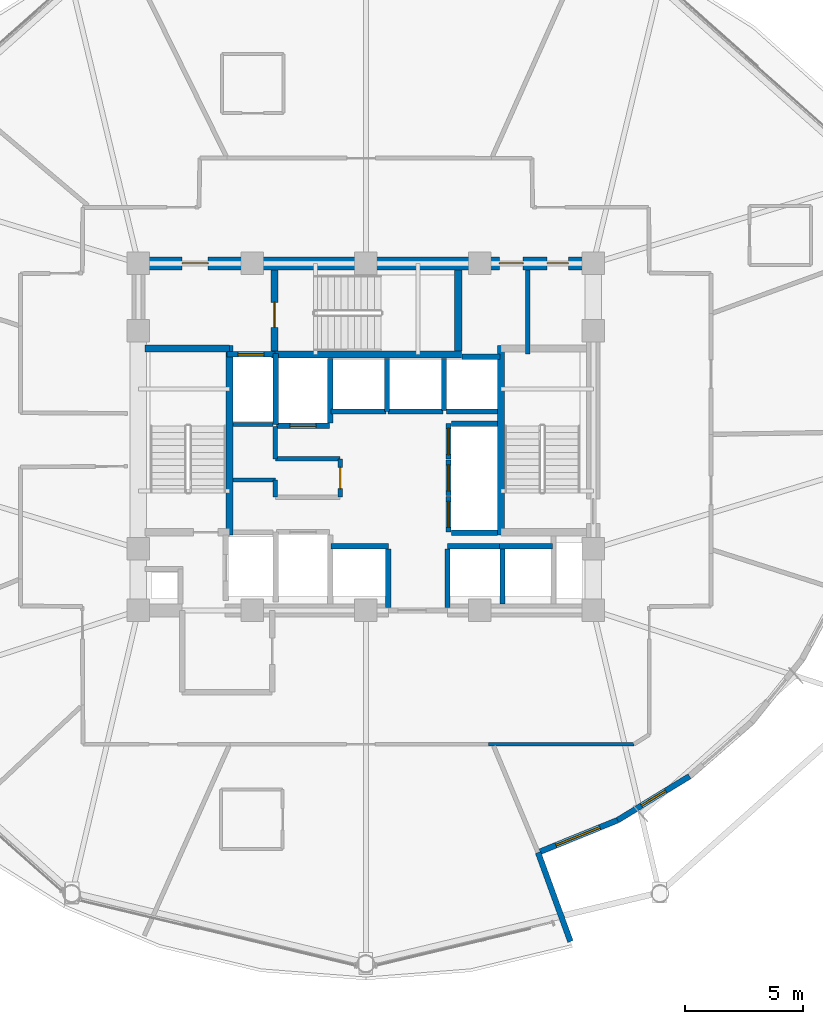
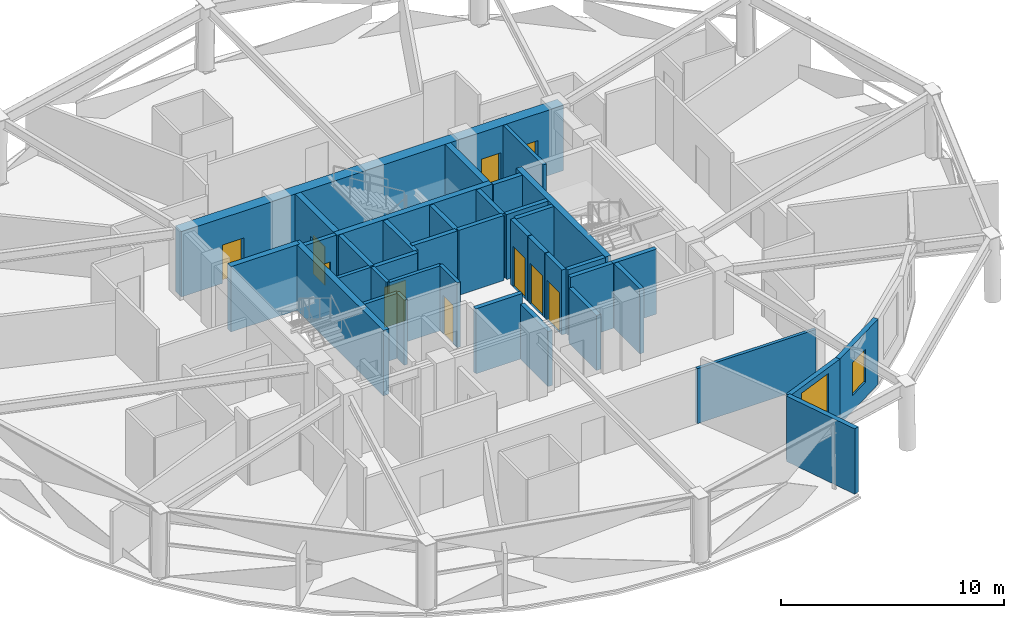
# One storey, part 11 of 16: 39 walls, 10 doors, 2 windows, 12 openings.
"""IFC4 building model written with IfcOpenShell, lengths in metres."""

from ifc_helpers import new_model, si_unit, direction, frame, frame_2d, origin, place, context, subcontext, project, spatial, rectangle, extrude, material, layer, layer_set, type_object, element, fill, save


model = new_model("IFC4")

# Units and contexts
model_context = context("Model", 3, precision=1e-05, world=origin(), true_north=direction((0.0, 1.0)))
body_context = subcontext(model_context, "Body", "Model", "MODEL_VIEW")
ifc_project = project(units=[si_unit("LENGTHUNIT", "METRE"), si_unit("AREAUNIT", "SQUARE_METRE"), si_unit("VOLUMEUNIT", "CUBIC_METRE"), si_unit("PLANEANGLEUNIT", "RADIAN"), si_unit("MASSUNIT", "GRAM", prefix="KILO")], contexts=[model_context])

# Site, building, storey
site_placement = place(None, origin())
site = spatial("IfcSite", under=ifc_project, at=site_placement, CompositionType="ELEMENT")
building_placement = place(site_placement, origin())
building = spatial("IfcBuilding", under=site, at=building_placement, Name="Vantalir Tower", CompositionType="ELEMENT")
storey_placement = place(building_placement, frame((0.0, 0.0, 145.949951171875)))
storey = spatial("IfcBuildingStorey", under=building, at=storey_placement, Name="L36", CompositionType="ELEMENT", Elevation=145.949951171875)

# Wall, openings, doors
ifc_material_1 = material(Name="Concrete C60/75", Category="concrete")
ifc_layer_1 = layer(ifc_material_1, 0.550048828125)
ifc_layer_set_1 = layer_set([ifc_layer_1], Name="Concrete C60/75")
wall_type_1 = type_object("IfcWallType", Name="WL-CORE-550", PredefinedType="SHEAR", material=ifc_layer_set_1)
wall_1_placement = place(storey_placement, frame((21.625, 32.449951171875, 0.0), z_axis=(0.0, 0.0, 1.0), x_axis=(1.0, 0.0, 0.0)))
wall_1 = element("IfcWall", 1, at=wall_1_placement, inside=storey, type_object=wall_type_1, Name="L36 Core Shear Wall North", PredefinedType="SHEAR", context=body_context, shape_type="SweptSolid", body=[
    extrude(rectangle(XDim=19.75, YDim=0.550048828125, at=frame_2d((9.875, 0.0))), origin(), (0.0, 0.0, 1.0), 3.570068359375),
])
opening_1_placement = place(wall_1_placement, frame((2.125, 0.0, 0.0)))
opening_1 = element("IfcOpeningElement", 2, at=opening_1_placement, cuts=wall_1, Name="Opening D-FFL", PredefinedType="OPENING", context=body_context, shape_type="SweptSolid", body=[
    extrude(rectangle(XDim=1.10009765625, YDim=2.10009765625, at=frame_2d((0.550048828125, 1.050048828125))), frame((0.0, 0.284912109375, 0.0), z_axis=(0.0, -1.0, 0.0), x_axis=(1.0, 0.0, 0.0)), (0.0, 0.0, 1.0), 0.570068359375),
])
opening_2_placement = place(wall_1_placement, frame((15.514892578125, 0.0, 0.0)))
opening_2 = element("IfcOpeningElement", 3, at=opening_2_placement, cuts=wall_1, Name="Opening D-GUEST", PredefinedType="OPENING", context=body_context, shape_type="SweptSolid", body=[
    extrude(rectangle(XDim=1.0, YDim=2.10009765625, at=frame_2d((0.5, 1.050048828125))), frame((0.0, 0.284912109375, 0.0), z_axis=(0.0, -1.0, 0.0), x_axis=(1.0, 0.0, 0.0)), (0.0, 0.0, 1.0), 0.570068359375),
])
opening_3_placement = place(wall_1_placement, frame((17.52490234375, 0.0, 0.0)))
opening_3 = element("IfcOpeningElement", 4, at=opening_3_placement, cuts=wall_1, Name="Opening D-CR", PredefinedType="OPENING", context=body_context, shape_type="SweptSolid", body=[
    extrude(rectangle(XDim=0.89990234375, YDim=2.10009765625, at=frame_2d((0.449951171875, 1.050048828125))), frame((0.0, 0.284912109375, 0.0), z_axis=(0.0, -1.0, 0.0), x_axis=(1.0, 0.0, 0.0)), (0.0, 0.0, 1.0), 0.570068359375),
])
ifc_material_2 = material(Name="Fire-rated steel core service door", Category="steel")
door_type_1 = type_object("IfcDoorType", Name="DR-CORE-SERV-900", OperationType="NOTDEFINED", PredefinedType="DOOR", material=ifc_material_2)
door_1_placement = place(opening_3_placement, frame((0.89990234375, 0.0, 0.0), z_axis=(0.0, 0.0, 1.0), x_axis=(-1.0, 0.0, 0.0)))
door_1 = element("IfcDoor", 5, at=door_1_placement, inside=storey, type_object=door_type_1, Name="L36 Housekeeping and Linen Room Door", OperationType="SINGLE_SWING_RIGHT", OverallHeight=2.10009765625, OverallWidth=0.89990234375, PredefinedType="DOOR", context=body_context, shape_type="SweptSolid", body=[
    extrude(rectangle(XDim=0.89990234375, YDim=2.10009765625, at=frame_2d((0.449951171875, 1.050048828125))), frame((0.0, 0.02490234375, 0.0), z_axis=(0.0, -1.0, 0.0), x_axis=(1.0, 0.0, 0.0)), (0.0, 0.0, 1.0), 0.050048828125),
])
fill(opening_3, door_1)
ifc_material_3 = material(Name="Fire-rated acoustic steel door", Category="steel")
door_type_2 = type_object("IfcDoorType", Name="DR-FIRE-LOBBY-1100", OperationType="NOTDEFINED", PredefinedType="DOOR", material=ifc_material_3)
door_2_placement = place(opening_1_placement, frame((1.10009765625, 0.0, 0.0), z_axis=(0.0, 0.0, 1.0), x_axis=(-1.0, 0.0, 0.0)))
door_2 = element("IfcDoor", 6, at=door_2_placement, inside=storey, type_object=door_type_2, Name="L36 Firefighting Lobby East Access Door", OperationType="SINGLE_SWING_RIGHT", OverallHeight=2.10009765625, OverallWidth=1.10009765625, PredefinedType="DOOR", context=body_context, shape_type="SweptSolid", body=[
    extrude(rectangle(XDim=1.10009765625, YDim=2.10009765625, at=frame_2d((0.550048828125, 1.050048828125))), frame((0.0, 0.02490234375, 0.0), z_axis=(0.0, -1.0, 0.0), x_axis=(1.0, 0.0, 0.0)), (0.0, 0.0, 1.0), 0.050048828125),
])
fill(opening_1, door_2)
ifc_material_4 = material(Name="Solid-core teak veneer acoustic fire door", Category="wood")
door_type_3 = type_object("IfcDoorType", Name="DR-GUEST-ENTRY-1000", OperationType="NOTDEFINED", PredefinedType="DOOR", material=ifc_material_4)
door_3_placement = place(opening_2_placement, frame((1.0, 0.0, 0.0), z_axis=(0.0, 0.0, 1.0), x_axis=(-1.0, 0.0, 0.0)))
door_3 = element("IfcDoor", 7, at=door_3_placement, inside=storey, type_object=door_type_3, Name="L36 High-Rise Lift Lobby Door", OperationType="SINGLE_SWING_LEFT", OverallHeight=2.10009765625, OverallWidth=1.0, PredefinedType="DOOR", context=body_context, shape_type="SweptSolid", body=[
    extrude(rectangle(XDim=1.0, YDim=2.10009765625, at=frame_2d((0.5, 1.050048828125))), frame((0.0, 0.02490234375, 0.0), z_axis=(0.0, -1.0, 0.0), x_axis=(1.0, 0.0, 0.0)), (0.0, 0.0, 1.0), 0.050048828125),
])
fill(opening_2, door_3)

# Walls
ifc_material_5 = material(Name="Fire-rated hotel corridor acoustic partition", Category="gypsum")
ifc_layer_2 = layer(ifc_material_5, 0.159912109375)
ifc_layer_set_2 = layer_set([ifc_layer_2], Name="Fire-rated hotel corridor acoustic partition")
wall_type_2 = type_object("IfcWallType", Name="WL-CORR-160", PredefinedType="PARTITIONING", material=ifc_layer_set_2)
wall_2_placement = place(storey_placement, frame((42.81591796875, 12.15087890625, 0.0), z_axis=(0.0, 0.0, 1.0), x_axis=(-1.0, 0.0, 0.0)))
element("IfcWall", 8, at=wall_2_placement, inside=storey, type_object=wall_type_2, Name="L36 Corridor Partition 22", PredefinedType="PARTITIONING", context=body_context, shape_type="SweptSolid", body=[
    extrude(rectangle(XDim=6.143798828125, YDim=0.159912109375, at=frame_2d((3.07177734375, 0.0))), origin(), (0.0, 0.0, 1.0), 3.006103515625),
])
ifc_material_6 = material(Name="Precast concrete C40/50 insulated sky-garden wall", Category="concrete")
ifc_layer_3 = layer(ifc_material_6, 0.239990234375)
ifc_layer_set_3 = layer_set([ifc_layer_3], Name="Precast concrete C40/50 insulated sky-garden wall")
wall_type_3 = type_object("IfcWallType", Name="WL-EXT-SG-240", PredefinedType="SOLIDWALL", material=ifc_layer_set_3)
wall_3_placement = place(storey_placement, frame((40.137939453125, 3.824951171875, 0.0), z_axis=(0.0, 0.0, 1.0), x_axis=(-0.341963571582, 0.939713209288, 0.0)))
element("IfcWall", 9, at=wall_3_placement, inside=storey, type_object=wall_type_3, Name="L36 SG2 Sky-Garden Return Wall A", PredefinedType="SOLIDWALL", context=body_context, shape_type="SweptSolid", body=[
    extrude(rectangle(XDim=4.000244140625, YDim=0.239990234375, at=frame_2d((2.0, 0.0))), origin(), (0.0, 0.0, 1.0), 3.570068359375),
])

# Wall, opening, window
wall_4_placement = place(storey_placement, frame((38.77001953125, 7.583984375, 0.0), z_axis=(0.0, 0.0, 1.0), x_axis=(0.926385821436, 0.37657576906, 0.0)))
wall_4 = element("IfcWall", 10, at=wall_4_placement, inside=storey, type_object=wall_type_3, Name="L36 SG2 Sky-Garden Lounge Wall 1", PredefinedType="SOLIDWALL", context=body_context, shape_type="SweptSolid", body=[
    extrude(rectangle(XDim=3.624755859375, YDim=0.239990234375, at=frame_2d((1.8125, 0.0))), origin(), (0.0, 0.0, 1.0), 3.570068359375),
])
opening_4_placement = place(wall_4_placement, frame((0.81201171875, 0.0, 0.85009765625)))
opening_4 = element("IfcOpeningElement", 11, at=opening_4_placement, cuts=wall_4, Name="Opening WN-3", PredefinedType="OPENING", context=body_context, shape_type="SweptSolid", body=[
    extrude(rectangle(XDim=2.0, YDim=2.39990234375, at=frame_2d((1.0, 1.199951171875))), frame((0.0, 0.1298828125, 0.0), z_axis=(0.0, -1.0, 0.0), x_axis=(1.0, 0.0, 0.0)), (0.0, 0.0, 1.0), 0.260009765625),
])
ifc_material_7 = material(Name="Double-silver Low-E sky-garden lounge window", Category="glass")
window_type_1 = type_object("IfcWindowType", Name="WIN-SG-2000x2400", PartitioningType="SINGLE_PANEL", PredefinedType="WINDOW", material=ifc_material_7)
window_1_placement = place(opening_4_placement, origin())
window_1 = element("IfcWindow", 12, at=window_1_placement, inside=storey, type_object=window_type_1, Name="L36 SG2 Sky-Garden Window 1", OverallHeight=2.39990234375, OverallWidth=2.0, PartitioningType="SINGLE_PANEL", PredefinedType="WINDOW", context=body_context, shape_type="SweptSolid", body=[
    extrude(rectangle(XDim=2.0, YDim=2.39990234375, at=frame_2d((1.0, 1.199951171875))), frame((0.0, 0.030029296875, 0.0), z_axis=(0.0, -1.0, 0.0), x_axis=(1.0, 0.0, 0.0)), (0.0, 0.0, 1.0), 0.06005859375),
])
fill(opening_4, window_1)

wall_5_placement = place(storey_placement, frame((42.1279296875, 8.948974609375, 0.0), z_axis=(0.0, 0.0, 1.0), x_axis=(0.853431175253, 0.521205553602, 0.0)))
wall_5 = element("IfcWall", 13, at=wall_5_placement, inside=storey, type_object=wall_type_3, Name="L36 SG2 Sky-Garden Lounge Wall 2", PredefinedType="SOLIDWALL", context=body_context, shape_type="SweptSolid", body=[
    extrude(rectangle(XDim=3.55517578125, YDim=0.239990234375, at=frame_2d((1.777587890625, 0.0))), origin(), (0.0, 0.0, 1.0), 3.570068359375),
])
opening_5_placement = place(wall_5_placement, frame((1.177978515625, 0.0, 0.85009765625)))
opening_5 = element("IfcOpeningElement", 14, at=opening_5_placement, cuts=wall_5, Name="Opening WN-4", PredefinedType="OPENING", context=body_context, shape_type="SweptSolid", body=[
    extrude(rectangle(XDim=1.199951171875, YDim=1.800048828125, at=frame_2d((0.60009765625, 0.89990234375))), frame((0.0, 0.1298828125, 0.0), z_axis=(0.0, -1.0, 0.0), x_axis=(1.0, 0.0, 0.0)), (0.0, 0.0, 1.0), 0.260009765625),
])
ifc_material_8 = material(Name="Operable smoke-vent Low-E window", Category="glass")
window_type_2 = type_object("IfcWindowType", Name="WIN-SG-1200x1800", PartitioningType="SINGLE_PANEL", PredefinedType="WINDOW", material=ifc_material_8)
window_2_placement = place(opening_5_placement, origin())
window_2 = element("IfcWindow", 15, at=window_2_placement, inside=storey, type_object=window_type_2, Name="L36 SG2 Sky-Garden Window 2", OverallHeight=1.800048828125, OverallWidth=1.199951171875, PartitioningType="SINGLE_PANEL", PredefinedType="WINDOW", context=body_context, shape_type="SweptSolid", body=[
    extrude(rectangle(XDim=1.199951171875, YDim=1.800048828125, at=frame_2d((0.60009765625, 0.89990234375))), frame((0.0, 0.030029296875, 0.0), z_axis=(0.0, -1.0, 0.0), x_axis=(1.0, 0.0, 0.0)), (0.0, 0.0, 1.0), 0.06005859375),
])
fill(opening_5, window_2)

# Walls
ifc_material_9 = material(Name="Concrete blockwork with fireboard lining", Category="masonry")
ifc_layer_4 = layer(ifc_material_9, 0.219970703125)
ifc_layer_set_4 = layer_set([ifc_layer_4], Name="Concrete blockwork with fireboard lining")
wall_type_4 = type_object("IfcWallType", Name="WL-FFL-220", PredefinedType="PARTITIONING", material=ifc_layer_set_4)
for number, where, z_axis, x_axis, name in (
    (16, (32.449951171875, 17.919921875, 0.0), (0.0, 0.0, 1.0), (0.0, 1.0, 0.0), "L36 Shuttle Lift PL-X1 East Shaft Cheek"),
    (17, (34.949951171875, 17.919921875, 0.0), (0.0, 0.0, 1.0), (0.0, 1.0, 0.0), "L36 Shuttle Lift PL-X3 West Shaft Cheek"),
):
    element("IfcWall", number, at=place(storey_placement, frame(where, z_axis=z_axis, x_axis=x_axis)), inside=storey, type_object=wall_type_4, Name=name, PredefinedType="PARTITIONING", context=body_context, shape_type="SweptSolid", body=[
        extrude(rectangle(XDim=2.469970703125, YDim=0.219970703125, at=frame_2d((1.23486328125, 0.0))), origin(), (0.0, 0.0, 1.0), 3.006103515625),
    ])
wall_6_placement = place(storey_placement, frame((37.27490234375, 18.080078125, 0.0), z_axis=(0.0, 0.0, 1.0), x_axis=(0.0, 1.0, 0.0)))
element("IfcWall", 18, at=wall_6_placement, inside=storey, type_object=wall_type_4, Name="L36 Shuttle Lift PL-X2/X3 Shaft Divider", PredefinedType="PARTITIONING", context=body_context, shape_type="SweptSolid", body=[
    extrude(rectangle(XDim=2.309814453125, YDim=0.219970703125, at=frame_2d((1.15478515625, 0.0))), origin(), (0.0, 0.0, 1.0), 3.545166015625),
])
wall_7_placement = place(storey_placement, frame((30.0, 25.7099609375, 0.0), z_axis=(0.0, 0.0, 1.0), x_axis=(0.0, 1.0, 0.0)))
element("IfcWall", 19, at=wall_7_placement, inside=storey, type_object=wall_type_4, Name="L36 Service Lift SV2 East Shaft Wall", PredefinedType="PARTITIONING", context=body_context, shape_type="SweptSolid", body=[
    extrude(rectangle(XDim=2.72998046875, YDim=0.219970703125, at=frame_2d((1.364990234375, 0.0))), origin(), (0.0, 0.0, 1.0), 3.545166015625),
])
wall_8_placement = place(storey_placement, frame((32.39990234375, 26.199951171875, 0.0), z_axis=(0.0, 0.0, 1.0), x_axis=(0.0, 1.0, 0.0)))
element("IfcWall", 20, at=wall_8_placement, inside=storey, type_object=wall_type_4, Name="L36 High-Rise Lift PL-H1/H2 Shaft Divider", PredefinedType="PARTITIONING", context=body_context, shape_type="SweptSolid", body=[
    extrude(rectangle(XDim=2.239990234375, YDim=0.219970703125, at=frame_2d((1.1201171875, 0.0))), origin(), (0.0, 0.0, 1.0), 3.545166015625),
])
wall_9_placement = place(storey_placement, frame((34.800048828125, 26.22998046875, 0.0), z_axis=(0.0, 0.0, 1.0), x_axis=(0.0, 1.0, 0.0)))
element("IfcWall", 21, at=wall_9_placement, inside=storey, type_object=wall_type_4, Name="L36 High-Rise Lift PL-H2/H3 Shaft Divider", PredefinedType="PARTITIONING", context=body_context, shape_type="SweptSolid", body=[
    extrude(rectangle(XDim=2.2099609375, YDim=0.219970703125, at=frame_2d((1.10498046875, 0.0))), origin(), (0.0, 0.0, 1.0), 3.545166015625),
])
wall_10_placement = place(storey_placement, frame((34.909912109375, 26.18994140625, 0.0), z_axis=(0.0, 0.0, 1.0), x_axis=(1.0, 0.0, 0.0)))
element("IfcWall", 22, at=wall_10_placement, inside=storey, type_object=wall_type_4, Name="L36 High-Rise Lift PL-H3 Rear Shaft Wall", PredefinedType="PARTITIONING", context=body_context, shape_type="SweptSolid", body=[
    extrude(rectangle(XDim=2.14013671875, YDim=0.219970703125, at=frame_2d((1.070068359375, 0.0))), origin(), (0.0, 0.0, 1.0), 3.545166015625),
])

# Wall, opening, door
wall_11_placement = place(storey_placement, frame((25.639892578125, 28.610107421875, 0.0), z_axis=(0.0, 0.0, 1.0), x_axis=(1.0, 0.0, 0.0)))
wall_11 = element("IfcWall", 23, at=wall_11_placement, inside=storey, type_object=wall_type_4, Name="L36 Lift FL2 Shaft Front Wall", PredefinedType="PARTITIONING", context=body_context, shape_type="SweptSolid", body=[
    extrude(rectangle(XDim=2.02001953125, YDim=0.219970703125, at=frame_2d((1.010009765625, 0.0))), origin(), (0.0, 0.0, 1.0), 3.550048828125),
])
opening_6_placement = place(wall_11_placement, frame((0.4599609375, 0.0, 0.0)))
opening_6 = element("IfcOpeningElement", 24, at=opening_6_placement, cuts=wall_11, Name="Opening LD-FL2", PredefinedType="OPENING", context=body_context, shape_type="SweptSolid", body=[
    extrude(rectangle(XDim=1.10009765625, YDim=2.199951171875, at=frame_2d((0.550048828125, 1.10009765625))), frame((0.0, 0.119873046875, 0.0), z_axis=(0.0, -1.0, 0.0), x_axis=(1.0, 0.0, 0.0)), (0.0, 0.0, 1.0), 0.239990234375),
])
ifc_material_10 = material(Name="Brushed stainless-steel sliding lift landing door", Category="steel")
door_type_4 = type_object("IfcDoorType", Name="DR-LIFT-LANDING-1100", OperationType="DOUBLE_DOOR_SLIDING", PredefinedType="DOOR", material=ifc_material_10)
door_4_placement = place(opening_6_placement, origin())
door_4 = element("IfcDoor", 25, at=door_4_placement, inside=storey, type_object=door_type_4, Name="L36 Lift Landing Door FL2", OperationType="DOUBLE_DOOR_SLIDING", OverallHeight=2.199951171875, OverallWidth=1.10009765625, PredefinedType="DOOR", context=body_context, shape_type="SweptSolid", body=[
    extrude(rectangle(XDim=1.10009765625, YDim=2.199951171875, at=frame_2d((0.550048828125, 1.10009765625))), frame((0.0, 0.02490234375, 0.0), z_axis=(0.0, -1.0, 0.0), x_axis=(1.0, 0.0, 0.0)), (0.0, 0.0, 1.0), 0.050048828125),
])
fill(opening_6, door_4)

wall_12_placement = place(storey_placement, frame((27.739990234375, 25.590087890625, 0.0), z_axis=(0.0, 0.0, 1.0), x_axis=(1.0, 0.0, 0.0)))
wall_12 = element("IfcWall", 26, at=wall_12_placement, inside=storey, type_object=wall_type_4, Name="L36 Lift SV2 Shaft Front Wall", PredefinedType="PARTITIONING", context=body_context, shape_type="SweptSolid", body=[
    extrude(rectangle(XDim=2.219970703125, YDim=0.219970703125, at=frame_2d((1.10986328125, 0.0))), origin(), (0.0, 0.0, 1.0), 3.550048828125),
])
opening_7_placement = place(wall_12_placement, frame((0.56005859375, 0.0, 0.0)))
opening_7 = element("IfcOpeningElement", 27, at=opening_7_placement, cuts=wall_12, Name="Opening LD-SV2", PredefinedType="OPENING", context=body_context, shape_type="SweptSolid", body=[
    extrude(rectangle(XDim=1.10009765625, YDim=2.199951171875, at=frame_2d((0.550048828125, 1.10009765625))), frame((0.0, 0.119873046875, 0.0), z_axis=(0.0, -1.0, 0.0), x_axis=(1.0, 0.0, 0.0)), (0.0, 0.0, 1.0), 0.239990234375),
])
door_5_placement = place(opening_7_placement, frame((1.10009765625, 0.0, 0.0), z_axis=(0.0, 0.0, 1.0), x_axis=(-1.0, 0.0, 0.0)))
door_5 = element("IfcDoor", 28, at=door_5_placement, inside=storey, type_object=door_type_4, Name="L36 Lift Landing Door SV2", OperationType="DOUBLE_DOOR_SLIDING", OverallHeight=2.199951171875, OverallWidth=1.10009765625, PredefinedType="DOOR", context=body_context, shape_type="SweptSolid", body=[
    extrude(rectangle(XDim=1.10009765625, YDim=2.199951171875, at=frame_2d((0.550048828125, 1.10009765625))), frame((0.0, 0.02490234375, 0.0), z_axis=(0.0, -1.0, 0.0), x_axis=(1.0, 0.0, 0.0)), (0.0, 0.0, 1.0), 0.050048828125),
])
fill(opening_7, door_5)

# Walls
wall_13_placement = place(storey_placement, frame((30.0400390625, 20.510009765625, 0.0), z_axis=(0.0, 0.0, 1.0), x_axis=(1.0, 0.0, 0.0)))
element("IfcWall", 29, at=wall_13_placement, inside=storey, type_object=wall_type_4, Name="L36 Lift PL-X1 Shaft Front Wall", PredefinedType="PARTITIONING", context=body_context, shape_type="SweptSolid", body=[
    extrude(rectangle(XDim=2.419921875, YDim=0.219970703125, at=frame_2d((1.2099609375, 0.0))), origin(), (0.0, 0.0, 1.0), 3.550048828125),
])
for number, where, z_axis, x_axis, name in (
    (30, (37.139892578125, 20.510009765625, 0.0), (0.0, 0.0, 1.0), (1.0, 0.0, 0.0), "L36 Lift PL-X2 Shaft Rear Wall"),
    (31, (34.93994140625, 20.510009765625, 0.0), (0.0, 0.0, 1.0), (1.0, 0.0, 0.0), "L36 Lift PL-X3 Shaft Front Wall"),
):
    element("IfcWall", number, at=place(storey_placement, frame(where, z_axis=z_axis, x_axis=x_axis)), inside=storey, type_object=wall_type_4, Name=name, PredefinedType="PARTITIONING", context=body_context, shape_type="SweptSolid", body=[
        extrude(rectangle(XDim=2.239990234375, YDim=0.219970703125, at=frame_2d((1.1201171875, 0.0))), origin(), (0.0, 0.0, 1.0), 3.550048828125),
    ])
for number, where, z_axis, x_axis, name in (
    (32, (30.0400390625, 26.18994140625, 0.0), (0.0, 0.0, 1.0), (1.0, 0.0, 0.0), "L36 Lift PL-H1 Shaft Front Wall"),
    (33, (32.43994140625, 26.18994140625, 0.0), (0.0, 0.0, 1.0), (1.0, 0.0, 0.0), "L36 Lift PL-H2 Shaft Front Wall"),
):
    element("IfcWall", number, at=place(storey_placement, frame(where, z_axis=z_axis, x_axis=x_axis)), inside=storey, type_object=wall_type_4, Name=name, PredefinedType="PARTITIONING", context=body_context, shape_type="SweptSolid", body=[
        extrude(rectangle(XDim=2.320068359375, YDim=0.219970703125, at=frame_2d((1.16015625, 0.0))), origin(), (0.0, 0.0, 1.0), 3.550048828125),
    ])
wall_14_placement = place(storey_placement, frame((35.56005859375, 28.510009765625, 0.0), z_axis=(0.0, 0.0, 1.0), x_axis=(1.0, 0.0, 0.0)))
element("IfcWall", 34, at=wall_14_placement, inside=storey, type_object=wall_type_4, Name="L36 Lift PL-H3 Shaft Front Wall", PredefinedType="PARTITIONING", context=body_context, shape_type="SweptSolid", body=[
    extrude(rectangle(XDim=1.599853515625, YDim=0.219970703125, at=frame_2d((0.7998046875, 0.0))), origin(), (0.0, 0.0, 1.0), 3.550048828125),
])

# Wall, opening, door
wall_15_placement = place(storey_placement, frame((34.989990234375, 21.10009765625, 0.0), z_axis=(0.0, 0.0, 1.0), x_axis=(0.0, 1.0, 0.0)))
wall_15 = element("IfcWall", 35, at=wall_15_placement, inside=storey, type_object=wall_type_4, Name="L36 Lift PL-M1 Shaft Front Wall", PredefinedType="PARTITIONING", context=body_context, shape_type="SweptSolid", body=[
    extrude(rectangle(XDim=1.5, YDim=0.219970703125, at=frame_2d((0.75, 0.0))), origin(), (0.0, 0.0, 1.0), 3.550048828125),
])
opening_8_placement = place(wall_15_placement, frame((0.199951171875, 0.0, 0.0)))
opening_8 = element("IfcOpeningElement", 36, at=opening_8_placement, cuts=wall_15, Name="Opening LD-PL-M1", PredefinedType="OPENING", context=body_context, shape_type="SweptSolid", body=[
    extrude(rectangle(XDim=1.10009765625, YDim=2.199951171875, at=frame_2d((0.550048828125, 1.10009765625))), frame((0.0, 0.119873046875, 0.0), z_axis=(0.0, -1.0, 0.0), x_axis=(1.0, 0.0, 0.0)), (0.0, 0.0, 1.0), 0.239990234375),
])
door_6_placement = place(opening_8_placement, origin())
door_6 = element("IfcDoor", 37, at=door_6_placement, inside=storey, type_object=door_type_4, Name="L36 Lift Landing Door PL-M1", OperationType="DOUBLE_DOOR_SLIDING", OverallHeight=2.199951171875, OverallWidth=1.10009765625, PredefinedType="DOOR", context=body_context, shape_type="SweptSolid", body=[
    extrude(rectangle(XDim=1.10009765625, YDim=2.199951171875, at=frame_2d((0.550048828125, 1.10009765625))), frame((0.0, 0.02490234375, 0.0), z_axis=(0.0, -1.0, 0.0), x_axis=(1.0, 0.0, 0.0)), (0.0, 0.0, 1.0), 0.050048828125),
])
fill(opening_8, door_6)

wall_16_placement = place(storey_placement, frame((34.989990234375, 22.639892578125, 0.0), z_axis=(0.0, 0.0, 1.0), x_axis=(0.0, 1.0, 0.0)))
wall_16 = element("IfcWall", 38, at=wall_16_placement, inside=storey, type_object=wall_type_4, Name="L36 Lift PL-M2 Shaft Front Wall", PredefinedType="PARTITIONING", context=body_context, shape_type="SweptSolid", body=[
    extrude(rectangle(XDim=1.5, YDim=0.219970703125, at=frame_2d((0.75, 0.0))), origin(), (0.0, 0.0, 1.0), 3.550048828125),
])
opening_9_placement = place(wall_16_placement, frame((0.199951171875, 0.0, 0.0)))
opening_9 = element("IfcOpeningElement", 39, at=opening_9_placement, cuts=wall_16, Name="Opening LD-PL-M2", PredefinedType="OPENING", context=body_context, shape_type="SweptSolid", body=[
    extrude(rectangle(XDim=1.10009765625, YDim=2.199951171875, at=frame_2d((0.550048828125, 1.10009765625))), frame((0.0, 0.119873046875, 0.0), z_axis=(0.0, -1.0, 0.0), x_axis=(1.0, 0.0, 0.0)), (0.0, 0.0, 1.0), 0.239990234375),
])
door_7_placement = place(opening_9_placement, origin())
door_7 = element("IfcDoor", 40, at=door_7_placement, inside=storey, type_object=door_type_4, Name="L36 Lift Landing Door PL-M2", OperationType="DOUBLE_DOOR_SLIDING", OverallHeight=2.199951171875, OverallWidth=1.10009765625, PredefinedType="DOOR", context=body_context, shape_type="SweptSolid", body=[
    extrude(rectangle(XDim=1.10009765625, YDim=2.199951171875, at=frame_2d((0.550048828125, 1.10009765625))), frame((0.0, 0.02490234375, 0.0), z_axis=(0.0, -1.0, 0.0), x_axis=(1.0, 0.0, 0.0)), (0.0, 0.0, 1.0), 0.050048828125),
])
fill(opening_9, door_7)

wall_17_placement = place(storey_placement, frame((34.989990234375, 24.179931640625, 0.0), z_axis=(0.0, 0.0, 1.0), x_axis=(0.0, 1.0, 0.0)))
wall_17 = element("IfcWall", 41, at=wall_17_placement, inside=storey, type_object=wall_type_4, Name="L36 Lift PL-M3 Shaft Front Wall", PredefinedType="PARTITIONING", context=body_context, shape_type="SweptSolid", body=[
    extrude(rectangle(XDim=1.5, YDim=0.219970703125, at=frame_2d((0.75, 0.0))), origin(), (0.0, 0.0, 1.0), 3.550048828125),
])
opening_10_placement = place(wall_17_placement, frame((0.199951171875, 0.0, 0.0)))
opening_10 = element("IfcOpeningElement", 42, at=opening_10_placement, cuts=wall_17, Name="Opening LD-PL-M3", PredefinedType="OPENING", context=body_context, shape_type="SweptSolid", body=[
    extrude(rectangle(XDim=1.10009765625, YDim=2.199951171875, at=frame_2d((0.550048828125, 1.10009765625))), frame((0.0, 0.119873046875, 0.0), z_axis=(0.0, -1.0, 0.0), x_axis=(1.0, 0.0, 0.0)), (0.0, 0.0, 1.0), 0.239990234375),
])
door_8_placement = place(opening_10_placement, origin())
door_8 = element("IfcDoor", 43, at=door_8_placement, inside=storey, type_object=door_type_4, Name="L36 Lift Landing Door PL-M3", OperationType="DOUBLE_DOOR_SLIDING", OverallHeight=2.199951171875, OverallWidth=1.10009765625, PredefinedType="DOOR", context=body_context, shape_type="SweptSolid", body=[
    extrude(rectangle(XDim=1.10009765625, YDim=2.199951171875, at=frame_2d((0.550048828125, 1.10009765625))), frame((0.0, 0.02490234375, 0.0), z_axis=(0.0, -1.0, 0.0), x_axis=(1.0, 0.0, 0.0)), (0.0, 0.0, 1.0), 0.050048828125),
])
fill(opening_10, door_8)

# Walls
wall_18_placement = place(storey_placement, frame((27.699951171875, 25.64990234375, 0.0), z_axis=(0.0, 0.0, 1.0), x_axis=(0.0, 1.0, 0.0)))
element("IfcWall", 44, at=wall_18_placement, inside=storey, type_object=wall_type_4, Name="L36 Fire Lift FL2 Dividing Wall", PredefinedType="PARTITIONING", context=body_context, shape_type="SweptSolid", body=[
    extrude(rectangle(XDim=3.0, YDim=0.219970703125, at=frame_2d((1.5, 0.0))), origin(), (0.0, 0.0, 1.0), 3.550048828125),
])
for number, where, z_axis, x_axis, name in (
    (45, (35.1201171875, 21.080078125, 0.0), (0.0, 0.0, 1.0), (1.0, 0.0, 0.0), "L36 Mid-Rise Bank South Wall"),
    (46, (35.1201171875, 25.679931640625, 0.0), (0.0, 0.0, 1.0), (1.0, 0.0, 0.0), "L36 Mid-Rise Bank North Wall"),
):
    element("IfcWall", number, at=place(storey_placement, frame(where, z_axis=z_axis, x_axis=x_axis)), inside=storey, type_object=wall_type_4, Name=name, PredefinedType="PARTITIONING", context=body_context, shape_type="SweptSolid", body=[
        extrude(rectangle(XDim=1.93994140625, YDim=0.219970703125, at=frame_2d((0.969970703125, 0.0))), origin(), (0.0, 0.0, 1.0), 3.550048828125),
    ])
ifc_material_11 = material(Name="Twin-stud acoustic fire-rated gypsum partition", Category="gypsum")
ifc_layer_5 = layer(ifc_material_11, 0.179931640625)
ifc_layer_set_5 = layer_set([ifc_layer_5], Name="Twin-stud acoustic fire-rated gypsum partition")
wall_type_5 = type_object("IfcWallType", Name="WL-GUEST-180", PredefinedType="PARTITIONING", material=ifc_layer_set_5)
wall_19_placement = place(storey_placement, frame((25.889892578125, 25.64990234375, 0.0), z_axis=(0.0, 0.0, 1.0), x_axis=(1.0, 0.0, 0.0)))
element("IfcWall", 47, at=wall_19_placement, inside=storey, type_object=wall_type_5, Name="L36 Freed West Core North Wall", PredefinedType="PARTITIONING", context=body_context, shape_type="SweptSolid", body=[
    extrude(rectangle(XDim=1.7001953125, YDim=0.179931640625, at=frame_2d((0.85009765625, 0.0))), origin(), (0.0, 0.0, 1.0), 3.550048828125),
])
wall_20_placement = place(storey_placement, frame((25.889892578125, 23.300048828125, 0.0), z_axis=(0.0, 0.0, 1.0), x_axis=(1.0, 0.0, 0.0)))
element("IfcWall", 48, at=wall_20_placement, inside=storey, type_object=wall_type_5, Name="L36 West Linen South-West Wall", PredefinedType="PARTITIONING", context=body_context, shape_type="SweptSolid", body=[
    extrude(rectangle(XDim=1.7900390625, YDim=0.179931640625, at=frame_2d((0.89501953125, 0.0))), origin(), (0.0, 0.0, 1.0), 3.550048828125),
])
wall_21_placement = place(storey_placement, frame((27.679931640625, 22.580078125, 0.0), z_axis=(0.0, 0.0, 1.0), x_axis=(0.0, 1.0, 0.0)))
element("IfcWall", 49, at=wall_21_placement, inside=storey, type_object=wall_type_5, Name="L36 West Linen Step Wall", PredefinedType="PARTITIONING", context=body_context, shape_type="SweptSolid", body=[
    extrude(rectangle(XDim=0.719970703125, YDim=0.179931640625, at=frame_2d((0.35986328125, 0.0))), origin(), (0.0, 0.0, 1.0), 3.550048828125),
])

# Wall, opening, door
wall_22_placement = place(storey_placement, frame((30.419921875, 22.580078125, 0.0), z_axis=(0.0, 0.0, 1.0), x_axis=(0.0, 1.0, 0.0)))
wall_22 = element("IfcWall", 50, at=wall_22_placement, inside=storey, type_object=wall_type_5, Name="L36 West Linen Alcove East Wall", PredefinedType="PARTITIONING", context=body_context, shape_type="SweptSolid", body=[
    extrude(rectangle(XDim=1.619873046875, YDim=0.179931640625, at=frame_2d((0.81005859375, 0.0))), origin(), (0.0, 0.0, 1.0), 3.550048828125),
])
opening_11_placement = place(wall_22_placement, frame((0.360107421875, 0.0, 0.0)))
opening_11 = element("IfcOpeningElement", 51, at=opening_11_placement, cuts=wall_22, Name="Opening D-CR", PredefinedType="OPENING", context=body_context, shape_type="SweptSolid", body=[
    extrude(rectangle(XDim=0.89990234375, YDim=2.10009765625, at=frame_2d((0.449951171875, 1.050048828125))), frame((0.0, 0.099853515625, 0.0), z_axis=(0.0, -1.0, 0.0), x_axis=(1.0, 0.0, 0.0)), (0.0, 0.0, 1.0), 0.199951171875),
])
door_9_placement = place(opening_11_placement, origin())
door_9 = element("IfcDoor", 52, at=door_9_placement, inside=storey, type_object=door_type_1, Name="L36 Core Linen Store Door", OperationType="SINGLE_SWING_LEFT", OverallHeight=2.10009765625, OverallWidth=0.89990234375, PredefinedType="DOOR", context=body_context, shape_type="SweptSolid", body=[
    extrude(rectangle(XDim=0.89990234375, YDim=2.10009765625, at=frame_2d((0.449951171875, 1.050048828125))), frame((0.0, 0.02490234375, 0.0), z_axis=(0.0, -1.0, 0.0), x_axis=(1.0, 0.0, 0.0)), (0.0, 0.0, 1.0), 0.050048828125),
])
fill(opening_11, door_9)

# Walls
wall_23_placement = place(storey_placement, frame((27.679931640625, 24.199951171875, 0.0), z_axis=(0.0, 0.0, 1.0), x_axis=(1.0, 0.0, 0.0)))
element("IfcWall", 53, at=wall_23_placement, inside=storey, type_object=wall_type_5, Name="L36 West Linen Alcove North Wall", PredefinedType="PARTITIONING", context=body_context, shape_type="SweptSolid", body=[
    extrude(rectangle(XDim=2.739990234375, YDim=0.179931640625, at=frame_2d((1.3701171875, 0.0))), origin(), (0.0, 0.0, 1.0), 3.550048828125),
])
wall_24_placement = place(storey_placement, frame((27.679931640625, 24.199951171875, 0.0), z_axis=(0.0, 0.0, 1.0), x_axis=(0.0, 1.0, 0.0)))
element("IfcWall", 54, at=wall_24_placement, inside=storey, type_object=wall_type_5, Name="L36 West Linen Upper East Wall", PredefinedType="PARTITIONING", context=body_context, shape_type="SweptSolid", body=[
    extrude(rectangle(XDim=1.360107421875, YDim=0.179931640625, at=frame_2d((0.68017578125, 0.0))), origin(), (0.0, 0.0, 1.0), 3.550048828125),
])
wall_25_placement = place(storey_placement, frame((38.340087890625, 28.6201171875, 0.0), z_axis=(0.0, 0.0, 1.0), x_axis=(0.0, 1.0, 0.0)))
element("IfcWall", 55, at=wall_25_placement, inside=storey, type_object=wall_type_5, Name="L36 High-Rise Lift Lobby East Wall", PredefinedType="PARTITIONING", context=body_context, shape_type="SweptSolid", body=[
    extrude(rectangle(XDim=3.554931640625, YDim=0.179931640625, at=frame_2d((1.77734375, 0.0))), origin(), (0.0, 0.0, 1.0), 3.550048828125),
])
ifc_material_12 = material(Name="Concrete C50/60", Category="concrete")
ifc_layer_6 = layer(ifc_material_12, 0.300048828125)
ifc_layer_set_6 = layer_set([ifc_layer_6], Name="Concrete C50/60")
wall_type_6 = type_object("IfcWallType", Name="WL-STAIR-300", PredefinedType="SHEAR", material=ifc_layer_set_6)
wall_26_placement = place(storey_placement, frame((22.175048828125, 28.85009765625, 0.0), z_axis=(0.0, 0.0, 1.0), x_axis=(1.0, 0.0, 0.0)))
element("IfcWall", 56, at=wall_26_placement, inside=storey, type_object=wall_type_6, Name="L36 Stair ST1 North Wall", PredefinedType="SHEAR", context=body_context, shape_type="SweptSolid", body=[
    extrude(rectangle(XDim=3.56494140625, YDim=0.300048828125, at=frame_2d((1.782470703125, 0.0))), origin(), (0.0, 0.0, 1.0), 3.570068359375),
])
for number, where, z_axis, x_axis, name in (
    (57, (25.739990234375, 20.97998046875, 0.0), (0.0, 0.0, 1.0), (0.0, 1.0, 0.0), "L36 Stair ST1 East Wall"),
    (58, (37.2099609375, 20.97998046875, 0.0), (0.0, 0.0, 1.0), (0.0, 1.0, 0.0), "L36 Stair ST2 West Wall"),
):
    element("IfcWall", number, at=place(storey_placement, frame(where, z_axis=z_axis, x_axis=x_axis)), inside=storey, type_object=wall_type_6, Name=name, PredefinedType="SHEAR", context=body_context, shape_type="SweptSolid", body=[
        extrude(rectangle(XDim=7.989990234375, YDim=0.300048828125, at=frame_2d((3.9951171875, 0.0))), origin(), (0.0, 0.0, 1.0), 3.570068359375),
    ])
wall_27_placement = place(storey_placement, frame((27.510009765625, 28.60009765625, 0.0), z_axis=(0.0, 0.0, 1.0), x_axis=(1.0, 0.0, 0.0)))
element("IfcWall", 59, at=wall_27_placement, inside=storey, type_object=wall_type_6, Name="L36 Stair ST3 South Wall", PredefinedType="SHEAR", context=body_context, shape_type="SweptSolid", body=[
    extrude(rectangle(XDim=8.030029296875, YDim=0.300048828125, at=frame_2d((4.01513671875, 0.0))), origin(), (0.0, 0.0, 1.0), 3.570068359375),
])

# Wall, opening, door
wall_28_placement = place(storey_placement, frame((27.64990234375, 28.75, 0.0), z_axis=(0.0, 0.0, 1.0), x_axis=(0.0, 1.0, 0.0)))
wall_28 = element("IfcWall", 60, at=wall_28_placement, inside=storey, type_object=wall_type_6, Name="L36 Stair ST3 West Wall", PredefinedType="SHEAR", context=body_context, shape_type="SweptSolid", body=[
    extrude(rectangle(XDim=3.425048828125, YDim=0.300048828125, at=frame_2d((1.71240234375, 0.0))), origin(), (0.0, 0.0, 1.0), 3.570068359375),
])
opening_12_placement = place(wall_28_placement, frame((1.0, 0.0, 0.0)))
opening_12 = element("IfcOpeningElement", 61, at=opening_12_placement, cuts=wall_28, Name="Opening D-ST", PredefinedType="OPENING", context=body_context, shape_type="SweptSolid", body=[
    extrude(rectangle(XDim=1.050048828125, YDim=2.10009765625, at=frame_2d((0.52490234375, 1.050048828125))), frame((0.0, 0.159912109375, 0.0), z_axis=(0.0, -1.0, 0.0), x_axis=(1.0, 0.0, 0.0)), (0.0, 0.0, 1.0), 0.320068359375),
])
ifc_material_13 = material(Name="Fire-rated steel door leaf", Category="steel")
door_type_5 = type_object("IfcDoorType", Name="DR-FIRE-STAIR-1050", OperationType="NOTDEFINED", PredefinedType="DOOR", material=ifc_material_13)
door_10_placement = place(opening_12_placement, frame((1.050048828125, 0.0, 0.0), z_axis=(0.0, 0.0, 1.0), x_axis=(-1.0, 0.0, 0.0)))
door_10 = element("IfcDoor", 62, at=door_10_placement, inside=storey, type_object=door_type_5, Name="L36 Exit Stair ST3 Fire Door", OperationType="SINGLE_SWING_LEFT", OverallHeight=2.10009765625, OverallWidth=1.050048828125, PredefinedType="DOOR", context=body_context, shape_type="SweptSolid", body=[
    extrude(rectangle(XDim=1.050048828125, YDim=2.10009765625, at=frame_2d((0.52490234375, 1.050048828125))), frame((0.0, 0.02490234375, 0.0), z_axis=(0.0, -1.0, 0.0), x_axis=(1.0, 0.0, 0.0)), (0.0, 0.0, 1.0), 0.050048828125),
])
fill(opening_12, door_10)

# Wall
wall_29_placement = place(storey_placement, frame((35.39990234375, 28.75, 0.0), z_axis=(0.0, 0.0, 1.0), x_axis=(0.0, 1.0, 0.0)))
element("IfcWall", 63, at=wall_29_placement, inside=storey, type_object=wall_type_6, Name="L36 Stair ST3 East Wall", PredefinedType="SHEAR", context=body_context, shape_type="SweptSolid", body=[
    extrude(rectangle(XDim=3.425048828125, YDim=0.300048828125, at=frame_2d((1.71240234375, 0.0))), origin(), (0.0, 0.0, 1.0), 3.570068359375),
])

save(model, "model.ifc")
